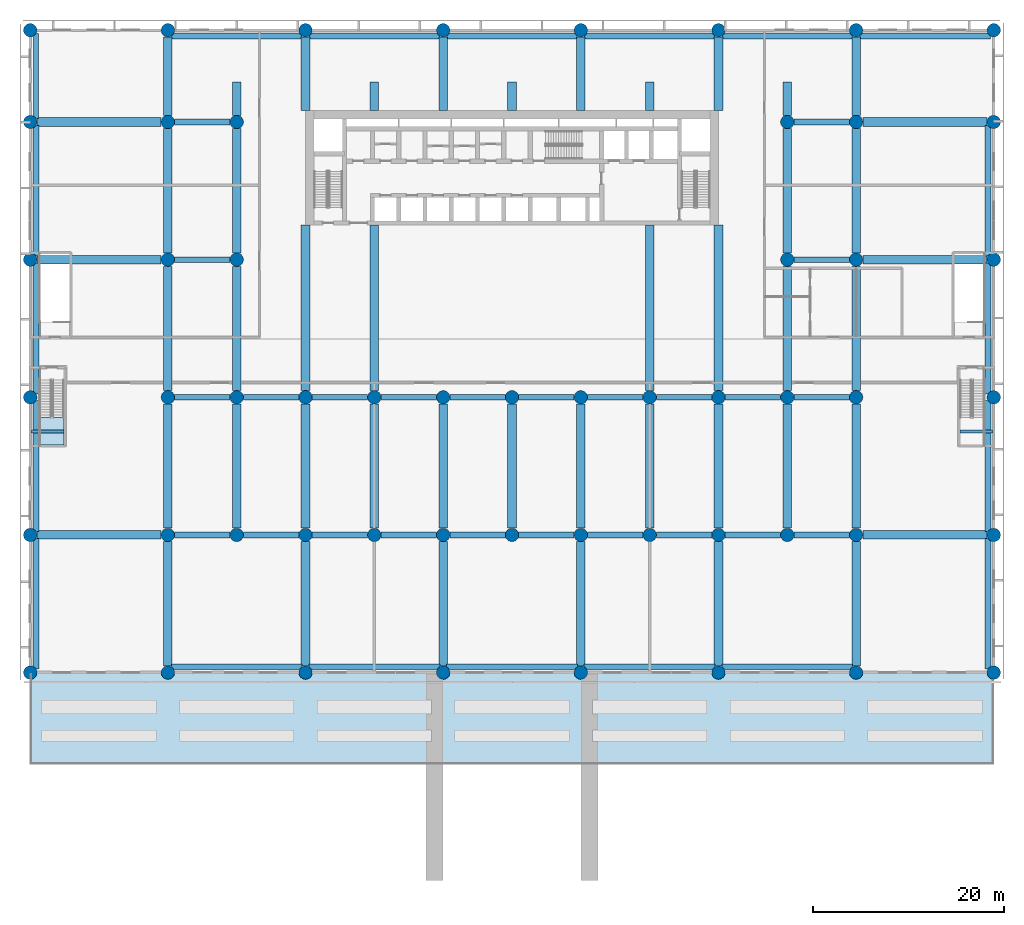
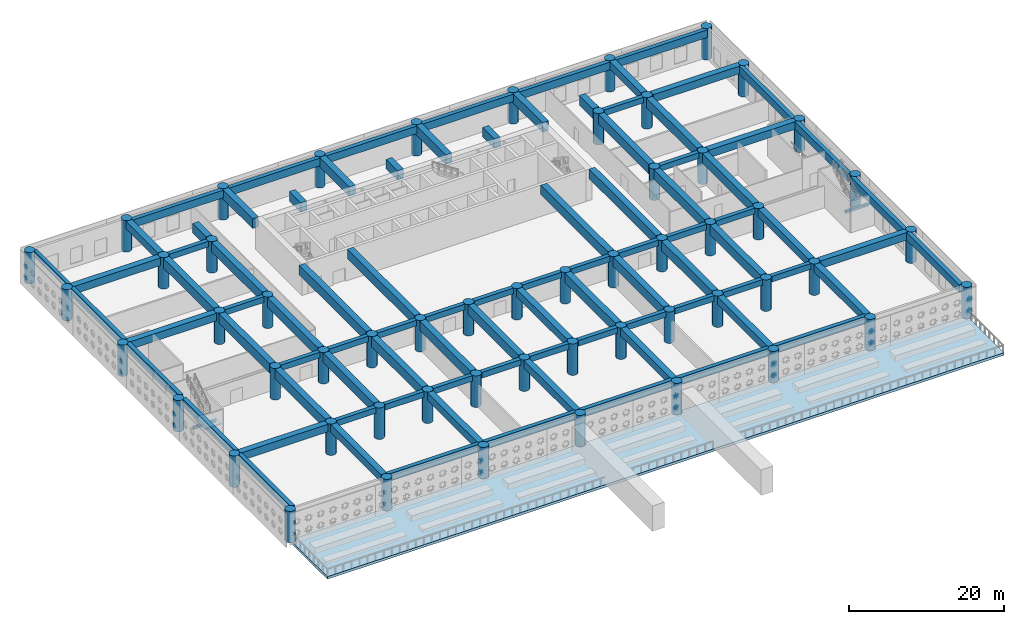
# One storey, part 1 of 24: 92 beams, 54 columns, 2 slabs, 1 element without a shape of its own.
"""IFC4 building model written with IfcOpenShell, lengths in metres."""

from ifc_helpers import new_model, si_unit, direction, frame, origin, origin_2d, place, context, subcontext, project, spatial, polyline, rectangle, circle, outline, extrude, source, transform, mapped, material, layer, layer_set, material_profile, profile_set, type_object, element, aggregate, save


model = new_model("IFC4")

# Units and contexts
model_context = context("Model", 3, precision=1e-05, world=origin(), true_north=direction((0.0, 1.0)))
body_context = subcontext(model_context, "Body", "Model", "MODEL_VIEW")
ifc_project = project(units=[si_unit("LENGTHUNIT", "METRE"), si_unit("AREAUNIT", "SQUARE_METRE"), si_unit("VOLUMEUNIT", "CUBIC_METRE"), si_unit("PLANEANGLEUNIT", "RADIAN"), si_unit("MASSUNIT", "GRAM", prefix="KILO")], contexts=[model_context])

# Site, building, storey
site_placement = place(None, origin())
site = spatial("IfcSite", under=ifc_project, at=site_placement, CompositionType="ELEMENT")
building_placement = place(site_placement, origin())
building = spatial("IfcBuilding", under=site, at=building_placement, Name="Saffron Iwan Residences", CompositionType="ELEMENT")
storey_placement = place(building_placement, frame((0.0, 0.0, 21.60009765625)))
storey = spatial("IfcBuildingStorey", under=building, at=storey_placement, Name="L04", CompositionType="ELEMENT", Elevation=21.60009765625)

# Columns
ifc_material_1 = material(Name="Concrete C50/60", Category="concrete")
ifc_material_profile_1 = material_profile(ifc_material_1, circle(Radius=0.699951171875, at=origin_2d()), Name="RC D1400")
ifc_profile_set_1 = profile_set([ifc_material_profile_1], Name="Concrete C50/60")
column_type = type_object("IfcColumnType", Name="COL RC D1400 C50/60 4950 HIGH", PredefinedType="COLUMN", material=ifc_profile_set_1)
shared_shape_1 = source(origin(), body_context, "Body", "SweptSolid", [
    extrude(circle(Radius=0.699951171875, at=origin_2d()), origin(), (0.0, 0.0, 1.0), 4.949951171875),
])
for number, where, z_axis, x_axis, name in (
    (1, (0.0, 19.199951171875, 0.0), (0.0, 0.0, 1.0), (1.0, 0.0, 0.0), "Column C017"),
    (2, (14.39990234375, 19.199951171875, 0.0), (0.0, 0.0, 1.0), (1.0, 0.0, 0.0), "Column C018"),
    (3, (28.800048828125, 19.199951171875, 0.0), (0.0, 0.0, 1.0), (1.0, 0.0, 0.0), "Column C019"),
    (4, (43.199951171875, 19.199951171875, 0.0), (0.0, 0.0, 1.0), (1.0, 0.0, 0.0), "Column C020"),
    (5, (57.60009765625, 19.199951171875, 0.0), (0.0, 0.0, 1.0), (1.0, 0.0, 0.0), "Column C021"),
    (6, (72.0, 19.199951171875, 0.0), (0.0, 0.0, 1.0), (1.0, 0.0, 0.0), "Column C022"),
    (7, (86.39990234375, 19.199951171875, 0.0), (0.0, 0.0, 1.0), (1.0, 0.0, 0.0), "Column C023"),
    (8, (100.800048828125, 19.199951171875, 0.0), (0.0, 0.0, 1.0), (1.0, 0.0, 0.0), "Column C024"),
    (9, (0.0, 33.60009765625, 0.0), (0.0, 0.0, 1.0), (1.0, 0.0, 0.0), "Column C025"),
    (10, (14.39990234375, 33.60009765625, 0.0), (0.0, 0.0, 1.0), (1.0, 0.0, 0.0), "Column C026"),
    (11, (21.60009765625, 33.60009765625, 0.0), (0.0, 0.0, 1.0), (1.0, 0.0, 0.0), "Column C027"),
    (12, (28.800048828125, 33.60009765625, 0.0), (0.0, 0.0, 1.0), (1.0, 0.0, 0.0), "Column C028"),
    (13, (36.0, 33.60009765625, 0.0), (0.0, 0.0, 1.0), (1.0, 0.0, 0.0), "Column C029"),
    (14, (43.199951171875, 33.60009765625, 0.0), (0.0, 0.0, 1.0), (1.0, 0.0, 0.0), "Column C030"),
    (15, (50.39990234375, 33.60009765625, 0.0), (0.0, 0.0, 1.0), (1.0, 0.0, 0.0), "Column C031"),
    (16, (57.60009765625, 33.60009765625, 0.0), (0.0, 0.0, 1.0), (1.0, 0.0, 0.0), "Column C032"),
    (17, (64.800048828125, 33.60009765625, 0.0), (0.0, 0.0, 1.0), (1.0, 0.0, 0.0), "Column C033"),
    (18, (72.0, 33.60009765625, 0.0), (0.0, 0.0, 1.0), (1.0, 0.0, 0.0), "Column C034"),
    (19, (79.199951171875, 33.60009765625, 0.0), (0.0, 0.0, 1.0), (1.0, 0.0, 0.0), "Column C035"),
    (20, (86.39990234375, 33.60009765625, 0.0), (0.0, 0.0, 1.0), (1.0, 0.0, 0.0), "Column C036"),
    (21, (100.800048828125, 33.60009765625, 0.0), (0.0, 0.0, 1.0), (1.0, 0.0, 0.0), "Column C037"),
    (22, (0.0, 48.0, 0.0), (0.0, 0.0, 1.0), (1.0, 0.0, 0.0), "Column C059"),
    (23, (14.39990234375, 48.0, 0.0), (0.0, 0.0, 1.0), (1.0, 0.0, 0.0), "Column C060"),
    (24, (21.60009765625, 48.0, 0.0), (0.0, 0.0, 1.0), (1.0, 0.0, 0.0), "Column C063"),
    (25, (28.800048828125, 48.0, 0.0), (0.0, 0.0, 1.0), (1.0, 0.0, 0.0), "Column C064"),
    (26, (36.0, 48.0, 0.0), (0.0, 0.0, 1.0), (1.0, 0.0, 0.0), "Column C065"),
    (27, (43.199951171875, 48.0, 0.0), (0.0, 0.0, 1.0), (1.0, 0.0, 0.0), "Column C066"),
    (28, (50.39990234375, 48.0, 0.0), (0.0, 0.0, 1.0), (1.0, 0.0, 0.0), "Column C067"),
    (29, (57.60009765625, 48.0, 0.0), (0.0, 0.0, 1.0), (1.0, 0.0, 0.0), "Column C068"),
    (30, (64.800048828125, 48.0, 0.0), (0.0, 0.0, 1.0), (1.0, 0.0, 0.0), "Column C069"),
    (31, (72.0, 48.0, 0.0), (0.0, 0.0, 1.0), (1.0, 0.0, 0.0), "Column C071"),
    (32, (79.199951171875, 48.0, 0.0), (0.0, 0.0, 1.0), (1.0, 0.0, 0.0), "Column C072"),
    (33, (86.39990234375, 48.0, 0.0), (0.0, 0.0, 1.0), (1.0, 0.0, 0.0), "Column C075"),
    (34, (100.800048828125, 48.0, 0.0), (0.0, 0.0, 1.0), (1.0, 0.0, 0.0), "Column C076"),
    (35, (0.0, 62.39990234375, 0.0), (0.0, 0.0, 1.0), (1.0, 0.0, 0.0), "Column C087"),
    (36, (14.39990234375, 62.39990234375, 0.0), (0.0, 0.0, 1.0), (1.0, 0.0, 0.0), "Column C088"),
    (37, (21.60009765625, 62.39990234375, 0.0), (0.0, 0.0, 1.0), (1.0, 0.0, 0.0), "Column C091"),
    (38, (79.199951171875, 62.39990234375, 0.0), (0.0, 0.0, 1.0), (1.0, 0.0, 0.0), "Column C092"),
    (39, (86.39990234375, 62.39990234375, 0.0), (0.0, 0.0, 1.0), (1.0, 0.0, 0.0), "Column C095"),
    (40, (100.800048828125, 62.39990234375, 0.0), (0.0, 0.0, 1.0), (1.0, 0.0, 0.0), "Column C096"),
    (41, (0.0, 76.800048828125, 0.0), (0.0, 0.0, 1.0), (1.0, 0.0, 0.0), "Column C103"),
    (42, (14.39990234375, 76.800048828125, 0.0), (0.0, 0.0, 1.0), (1.0, 0.0, 0.0), "Column C104"),
    (43, (21.60009765625, 76.800048828125, 0.0), (0.0, 0.0, 1.0), (1.0, 0.0, 0.0), "Column C107"),
    (44, (79.199951171875, 76.800048828125, 0.0), (0.0, 0.0, 1.0), (1.0, 0.0, 0.0), "Column C108"),
    (45, (86.39990234375, 76.800048828125, 0.0), (0.0, 0.0, 1.0), (1.0, 0.0, 0.0), "Column C111"),
    (46, (100.800048828125, 76.800048828125, 0.0), (0.0, 0.0, 1.0), (1.0, 0.0, 0.0), "Column C112"),
    (47, (0.0, 86.39990234375, 0.0), (0.0, 0.0, 1.0), (1.0, 0.0, 0.0), "Column C124"),
    (48, (14.39990234375, 86.39990234375, 0.0), (0.0, 0.0, 1.0), (1.0, 0.0, 0.0), "Column C125"),
    (49, (28.800048828125, 86.39990234375, 0.0), (0.0, 0.0, 1.0), (1.0, 0.0, 0.0), "Column C126"),
    (50, (43.199951171875, 86.39990234375, 0.0), (0.0, 0.0, 1.0), (1.0, 0.0, 0.0), "Column C127"),
    (51, (57.60009765625, 86.39990234375, 0.0), (0.0, 0.0, 1.0), (1.0, 0.0, 0.0), "Column C128"),
    (52, (72.0, 86.39990234375, 0.0), (0.0, 0.0, 1.0), (1.0, 0.0, 0.0), "Column C129"),
    (53, (86.39990234375, 86.39990234375, 0.0), (0.0, 0.0, 1.0), (1.0, 0.0, 0.0), "Column C130"),
    (54, (100.800048828125, 86.39990234375, 0.0), (0.0, 0.0, 1.0), (1.0, 0.0, 0.0), "Column C131"),
):
    element("IfcColumn", number, at=place(storey_placement, frame(where, z_axis=z_axis, x_axis=x_axis)), inside=storey, type_object=column_type, Name=name, PredefinedType="COLUMN", context=body_context, shape_type="MappedRepresentation", body=[
        mapped(shared_shape_1, transform((0.0, 0.0, 0.0))),
    ])

# Beams
ifc_material_2 = material(Name="Concrete C60/75", Category="concrete")
ifc_material_profile_2 = material_profile(ifc_material_2, rectangle(XDim=0.89990234375, YDim=1.5, at=origin_2d()), Name="RC 900x1500")
ifc_profile_set_2 = profile_set([ifc_material_profile_2], Name="Concrete C60/75")
beam_type_1 = type_object("IfcBeamType", Name="TRANSFER GIRDER RC 900x1500 C60/75 TOP 4950", PredefinedType="BEAM", material=ifc_profile_set_2)
shared_shape_2 = source(origin(), body_context, "Body", "SweptSolid", [
    extrude(rectangle(XDim=0.89990234375, YDim=1.5, at=origin_2d()), origin(), (0.0, 0.0, 1.0), 13.0),
])
for number, where, z_axis, x_axis, name in (
    (55, (14.39990234375, 34.300048828125, 4.199951171875), (0.0, 1.0, 0.0), (-1.0, 0.0, 0.0), "Transfer girder"),
    (56, (14.39990234375, 48.699951171875, 4.199951171875), (0.0, 1.0, 0.0), (-1.0, 0.0, 0.0), "Transfer girder"),
    (57, (14.39990234375, 63.10009765625, 4.199951171875), (0.0, 1.0, 0.0), (-1.0, 0.0, 0.0), "Transfer girder"),
    (58, (21.60009765625, 34.300048828125, 4.199951171875), (0.0, 1.0, 0.0), (-1.0, 0.0, 0.0), "Transfer girder"),
    (59, (21.60009765625, 48.699951171875, 4.199951171875), (0.0, 1.0, 0.0), (-1.0, 0.0, 0.0), "Transfer girder"),
    (60, (21.60009765625, 63.10009765625, 4.199951171875), (0.0, 1.0, 0.0), (-1.0, 0.0, 0.0), "Transfer girder"),
    (61, (28.800048828125, 34.300048828125, 4.199951171875), (0.0, 1.0, 0.0), (-1.0, 0.0, 0.0), "Transfer girder"),
    (62, (36.0, 34.300048828125, 4.199951171875), (0.0, 1.0, 0.0), (-1.0, 0.0, 0.0), "Transfer girder"),
    (63, (43.199951171875, 34.300048828125, 4.199951171875), (0.0, 1.0, 0.0), (-1.0, 0.0, 0.0), "Transfer girder"),
    (64, (57.60009765625, 34.300048828125, 4.199951171875), (0.0, 1.0, 0.0), (-1.0, 0.0, 0.0), "Transfer girder"),
    (65, (64.800048828125, 34.300048828125, 4.199951171875), (0.0, 1.0, 0.0), (-1.0, 0.0, 0.0), "Transfer girder"),
    (66, (72.0, 34.300048828125, 4.199951171875), (0.0, 1.0, 0.0), (-1.0, 0.0, 0.0), "Transfer girder"),
    (67, (79.199951171875, 34.300048828125, 4.199951171875), (0.0, 1.0, 0.0), (-1.0, 0.0, 0.0), "Transfer girder"),
    (68, (79.199951171875, 48.699951171875, 4.199951171875), (0.0, 1.0, 0.0), (-1.0, 0.0, 0.0), "Transfer girder"),
    (69, (79.199951171875, 63.10009765625, 4.199951171875), (0.0, 1.0, 0.0), (-1.0, 0.0, 0.0), "Transfer girder"),
    (70, (86.39990234375, 48.699951171875, 4.199951171875), (0.0, 1.0, 0.0), (-1.0, 0.0, 0.0), "Transfer girder"),
    (71, (86.39990234375, 63.10009765625, 4.199951171875), (0.0, 1.0, 0.0), (-1.0, 0.0, 0.0), "Transfer girder"),
):
    element("IfcBeam", number, at=place(storey_placement, frame(where, z_axis=z_axis, x_axis=x_axis)), inside=storey, type_object=beam_type_1, Name=name, PredefinedType="BEAM", context=body_context, shape_type="MappedRepresentation", body=[
        mapped(shared_shape_2, transform((0.0, 0.0, 0.0))),
    ])
shared_shape_3 = source(origin(), body_context, "Body", "SweptSolid", [
    extrude(rectangle(XDim=0.89990234375, YDim=1.5, at=origin_2d()), origin(), (0.0, 0.0, 1.0), 3.5),
])
for number, where, z_axis, x_axis, name in (
    (72, (21.60009765625, 77.5, 4.199951171875), (0.0, 1.0, 0.0), (-1.0, 0.0, 0.0), "Transfer girder"),
    (73, (79.199951171875, 77.5, 4.199951171875), (0.0, 1.0, 0.0), (-1.0, 0.0, 0.0), "Transfer girder"),
):
    element("IfcBeam", number, at=place(storey_placement, frame(where, z_axis=z_axis, x_axis=x_axis)), inside=storey, type_object=beam_type_1, Name=name, PredefinedType="BEAM", context=body_context, shape_type="MappedRepresentation", body=[
        mapped(shared_shape_3, transform((0.0, 0.0, 0.0))),
    ])
shared_shape_4 = source(origin(), body_context, "Body", "SweptSolid", [
    extrude(rectangle(XDim=0.89990234375, YDim=1.5, at=origin_2d()), origin(), (0.0, 0.0, 1.0), 17.300048828125),
])
for number, where, z_axis, x_axis, name in (
    (74, (28.800048828125, 48.699951171875, 4.199951171875), (0.0, 1.0, 0.0), (-1.0, 0.0, 0.0), "Transfer girder"),
    (75, (36.0, 48.699951171875, 4.199951171875), (0.0, 1.0, 0.0), (-1.0, 0.0, 0.0), "Transfer girder"),
    (76, (64.800048828125, 48.699951171875, 4.199951171875), (0.0, 1.0, 0.0), (-1.0, 0.0, 0.0), "Transfer girder"),
    (77, (72.0, 48.699951171875, 4.199951171875), (0.0, 1.0, 0.0), (-1.0, 0.0, 0.0), "Transfer girder"),
):
    element("IfcBeam", number, at=place(storey_placement, frame(where, z_axis=z_axis, x_axis=x_axis)), inside=storey, type_object=beam_type_1, Name=name, PredefinedType="BEAM", context=body_context, shape_type="MappedRepresentation", body=[
        mapped(shared_shape_4, transform((0.0, 0.0, 0.0))),
    ])
shared_shape_5 = source(origin(), body_context, "Body", "SweptSolid", [
    extrude(rectangle(XDim=0.89990234375, YDim=1.5, at=origin_2d()), origin(), (0.0, 0.0, 1.0), 7.699951171875),
])
for number, where, z_axis, x_axis, name in (
    (78, (28.800048828125, 78.0, 4.199951171875), (0.0, 1.0, 0.0), (-1.0, 0.0, 0.0), "Transfer girder"),
    (79, (43.199951171875, 78.0, 4.199951171875), (0.0, 1.0, 0.0), (-1.0, 0.0, 0.0), "Transfer girder"),
    (80, (57.60009765625, 78.0, 4.199951171875), (0.0, 1.0, 0.0), (-1.0, 0.0, 0.0), "Transfer girder"),
    (81, (72.0, 78.0, 4.199951171875), (0.0, 1.0, 0.0), (-1.0, 0.0, 0.0), "Transfer girder"),
):
    element("IfcBeam", number, at=place(storey_placement, frame(where, z_axis=z_axis, x_axis=x_axis)), inside=storey, type_object=beam_type_1, Name=name, PredefinedType="BEAM", context=body_context, shape_type="MappedRepresentation", body=[
        mapped(shared_shape_5, transform((0.0, 0.0, 0.0))),
    ])
shared_shape_6 = source(origin(), body_context, "Body", "SweptSolid", [
    extrude(rectangle(XDim=0.89990234375, YDim=1.5, at=origin_2d()), origin(), (0.0, 0.0, 1.0), 3.0),
])
for number, where, z_axis, x_axis, name in (
    (82, (36.0, 78.0, 4.199951171875), (0.0, 1.0, 0.0), (-1.0, 0.0, 0.0), "Transfer girder"),
    (83, (50.39990234375, 78.0, 4.199951171875), (0.0, 1.0, 0.0), (-1.0, 0.0, 0.0), "Transfer girder"),
    (84, (64.800048828125, 78.0, 4.199951171875), (0.0, 1.0, 0.0), (-1.0, 0.0, 0.0), "Transfer girder"),
):
    element("IfcBeam", number, at=place(storey_placement, frame(where, z_axis=z_axis, x_axis=x_axis)), inside=storey, type_object=beam_type_1, Name=name, PredefinedType="BEAM", context=body_context, shape_type="MappedRepresentation", body=[
        mapped(shared_shape_6, transform((0.0, 0.0, 0.0))),
    ])
ifc_material_profile_3 = material_profile(ifc_material_1, rectangle(XDim=0.5, YDim=0.89990234375, at=origin_2d()), Name="RC 500x900")
ifc_profile_set_3 = profile_set([ifc_material_profile_3], Name="Concrete C50/60")
beam_type_2 = type_object("IfcBeamType", Name="SPANDREL BEAM RC 500x900 C50/60 TOP 4950", PredefinedType="SPANDREL", material=ifc_profile_set_3)
shared_shape_7 = source(origin(), body_context, "Body", "SweptSolid", [
    extrude(rectangle(XDim=0.5, YDim=0.89990234375, at=origin_2d()), origin(), (0.0, 0.0, 1.0), 8.889404296875),
])
beam_placement = place(storey_placement, frame((0.60009765625, 77.1552734375, 4.5), z_axis=(0.0, 1.0, 0.0), x_axis=(-1.0, 0.0, 0.0)))
element("IfcBeam", 85, at=beam_placement, inside=storey, type_object=beam_type_2, Name="Spandrel beam", PredefinedType="SPANDREL", context=body_context, shape_type="MappedRepresentation", body=[
    mapped(shared_shape_7, transform((0.0, 0.0, 0.0))),
])
ifc_material_profile_4 = material_profile(ifc_material_1, rectangle(XDim=0.60009765625, YDim=1.199951171875, at=origin_2d()), Name="RC 600x1200")
ifc_profile_set_4 = profile_set([ifc_material_profile_4], Name="Concrete C50/60")
beam_type_3 = type_object("IfcBeamType", Name="LINTEL BEAM RC 600x1200 C50/60 TOP 4950", PredefinedType="LINTEL", material=ifc_profile_set_4)
shared_shape_8 = source(origin(), body_context, "Body", "SweptSolid", [
    extrude(rectangle(XDim=0.60009765625, YDim=1.199951171875, at=origin_2d()), origin(), (0.0, 0.0, 1.0), 13.689208984375),
])
for number, where, z_axis, x_axis, name in (
    (86, (28.444580078125, 19.800048828125, 4.349853515625), (-1.0, 0.0, 0.0), (0.0, -1.0, 0.0), "Lintel beam over the iwan"),
    (87, (57.24462890625, 19.800048828125, 4.349853515625), (-1.0, 0.0, 0.0), (0.0, -1.0, 0.0), "Lintel beam over the iwan"),
    (88, (0.60009765625, 19.555419921875, 4.349853515625), (0.0, 1.0, 0.0), (-1.0, 0.0, 0.0), "Lintel beam over the iwan"),
    (89, (100.199951171875, 33.24462890625, 4.349853515625), (0.0, -1.0, 0.0), (1.0, 0.0, 0.0), "Lintel beam over the iwan"),
    (90, (0.60009765625, 62.75537109375, 4.349853515625), (0.0, 1.0, 0.0), (-1.0, 0.0, 0.0), "Lintel beam over the iwan"),
    (91, (100.199951171875, 76.444580078125, 4.349853515625), (0.0, -1.0, 0.0), (1.0, 0.0, 0.0), "Lintel beam over the iwan"),
    (92, (14.75537109375, 85.800048828125, 4.349853515625), (1.0, 0.0, 0.0), (0.0, 1.0, 0.0), "Lintel beam over the iwan"),
    (93, (43.555419921875, 85.800048828125, 4.349853515625), (1.0, 0.0, 0.0), (0.0, 1.0, 0.0), "Lintel beam over the iwan"),
    (94, (86.75537109375, 85.800048828125, 4.349853515625), (1.0, 0.0, 0.0), (0.0, 1.0, 0.0), "Lintel beam over the iwan"),
):
    element("IfcBeam", number, at=place(storey_placement, frame(where, z_axis=z_axis, x_axis=x_axis)), inside=storey, type_object=beam_type_3, Name=name, PredefinedType="LINTEL", context=body_context, shape_type="MappedRepresentation", body=[
        mapped(shared_shape_8, transform((0.0, 0.0, 0.0))),
    ])
shared_shape_9 = source(origin(), body_context, "Body", "SweptSolid", [
    extrude(rectangle(XDim=0.60009765625, YDim=1.199951171875, at=origin_2d()), origin(), (0.0, 0.0, 1.0), 13.689453125),
])
for number, where, z_axis, x_axis, name in (
    (95, (42.8447265625, 19.800048828125, 4.349853515625), (-1.0, 0.0, 0.0), (0.0, -1.0, 0.0), "Lintel beam over the iwan"),
    (96, (71.644775390625, 19.800048828125, 4.349853515625), (-1.0, 0.0, 0.0), (0.0, -1.0, 0.0), "Lintel beam over the iwan"),
    (97, (86.044677734375, 19.800048828125, 4.349853515625), (-1.0, 0.0, 0.0), (0.0, -1.0, 0.0), "Lintel beam over the iwan"),
    (98, (0.60009765625, 33.955322265625, 4.349853515625), (0.0, 1.0, 0.0), (-1.0, 0.0, 0.0), "Lintel beam over the iwan"),
    (99, (100.199951171875, 47.644775390625, 4.349853515625), (0.0, -1.0, 0.0), (1.0, 0.0, 0.0), "Lintel beam over the iwan"),
    (100, (0.60009765625, 48.355224609375, 4.349853515625), (0.0, 1.0, 0.0), (-1.0, 0.0, 0.0), "Lintel beam over the iwan"),
    (101, (100.199951171875, 62.044677734375, 4.349853515625), (0.0, -1.0, 0.0), (1.0, 0.0, 0.0), "Lintel beam over the iwan"),
    (102, (29.1552734375, 85.800048828125, 4.349853515625), (1.0, 0.0, 0.0), (0.0, 1.0, 0.0), "Lintel beam over the iwan"),
    (103, (57.955322265625, 85.800048828125, 4.349853515625), (1.0, 0.0, 0.0), (0.0, 1.0, 0.0), "Lintel beam over the iwan"),
    (104, (72.355224609375, 85.800048828125, 4.349853515625), (1.0, 0.0, 0.0), (0.0, 1.0, 0.0), "Lintel beam over the iwan"),
):
    element("IfcBeam", number, at=place(storey_placement, frame(where, z_axis=z_axis, x_axis=x_axis)), inside=storey, type_object=beam_type_3, Name=name, PredefinedType="LINTEL", context=body_context, shape_type="MappedRepresentation", body=[
        mapped(shared_shape_9, transform((0.0, 0.0, 0.0))),
    ])
ifc_material_profile_5 = material_profile(ifc_material_1, rectangle(XDim=0.89990234375, YDim=1.199951171875, at=origin_2d()), Name="RC 900x1200")
ifc_profile_set_5 = profile_set([ifc_material_profile_5], Name="Concrete C50/60")
beam_type_4 = type_object("IfcBeamType", Name="BEAM RC 900x1200 C50/60 TOP 4950", PredefinedType="BEAM", material=ifc_profile_set_5)
shared_shape_10 = source(origin(), body_context, "Body", "SweptSolid", [
    extrude(rectangle(XDim=0.89990234375, YDim=1.199951171875, at=origin_2d()), origin(), (0.0, 0.0, 1.0), 13.0),
])
for number, where, z_axis, x_axis, name in (
    (105, (14.39990234375, 19.89990234375, 4.349853515625), (0.0, 1.0, 0.0), (-1.0, 0.0, 0.0), "Floor beam"),
    (106, (28.800048828125, 19.89990234375, 4.349853515625), (0.0, 1.0, 0.0), (-1.0, 0.0, 0.0), "Floor beam"),
    (107, (43.199951171875, 19.89990234375, 4.349853515625), (0.0, 1.0, 0.0), (-1.0, 0.0, 0.0), "Floor beam"),
    (108, (57.60009765625, 19.89990234375, 4.349853515625), (0.0, 1.0, 0.0), (-1.0, 0.0, 0.0), "Floor beam"),
    (109, (72.0, 19.89990234375, 4.349853515625), (0.0, 1.0, 0.0), (-1.0, 0.0, 0.0), "Floor beam"),
    (110, (86.39990234375, 19.89990234375, 4.349853515625), (0.0, 1.0, 0.0), (-1.0, 0.0, 0.0), "Floor beam"),
    (111, (0.699951171875, 33.60009765625, 4.349853515625), (1.0, 0.0, 0.0), (0.0, 1.0, 0.0), "Floor beam"),
    (112, (87.10009765625, 33.60009765625, 4.349853515625), (1.0, 0.0, 0.0), (0.0, 1.0, 0.0), "Floor beam"),
    (113, (50.39990234375, 34.300048828125, 4.349853515625), (0.0, 1.0, 0.0), (-1.0, 0.0, 0.0), "Floor beam"),
    (114, (86.39990234375, 34.300048828125, 4.349853515625), (0.0, 1.0, 0.0), (-1.0, 0.0, 0.0), "Floor beam"),
    (115, (0.699951171875, 62.39990234375, 4.349853515625), (1.0, 0.0, 0.0), (0.0, 1.0, 0.0), "Floor beam"),
    (116, (87.10009765625, 62.39990234375, 4.349853515625), (1.0, 0.0, 0.0), (0.0, 1.0, 0.0), "Floor beam"),
    (117, (0.699951171875, 76.800048828125, 4.349853515625), (1.0, 0.0, 0.0), (0.0, 1.0, 0.0), "Floor beam"),
    (118, (87.10009765625, 76.800048828125, 4.349853515625), (1.0, 0.0, 0.0), (0.0, 1.0, 0.0), "Floor beam"),
):
    element("IfcBeam", number, at=place(storey_placement, frame(where, z_axis=z_axis, x_axis=x_axis)), inside=storey, type_object=beam_type_4, Name=name, PredefinedType="BEAM", context=body_context, shape_type="MappedRepresentation", body=[
        mapped(shared_shape_10, transform((0.0, 0.0, 0.0))),
    ])
ifc_material_profile_6 = material_profile(ifc_material_1, rectangle(XDim=0.60009765625, YDim=0.89990234375, at=origin_2d()), Name="RC 600x900")
ifc_profile_set_6 = profile_set([ifc_material_profile_6], Name="Concrete C50/60")
beam_type_5 = type_object("IfcBeamType", Name="BEAM RC 600x900 C50/60 TOP 4950", PredefinedType="BEAM", material=ifc_profile_set_6)
shared_shape_11 = source(origin(), body_context, "Body", "SweptSolid", [
    extrude(rectangle(XDim=0.60009765625, YDim=0.89990234375, at=origin_2d()), origin(), (0.0, 0.0, 1.0), 5.7998046875),
])
for number, where, z_axis, x_axis, name in (
    (119, (15.10009765625, 33.60009765625, 4.5), (1.0, 0.0, 0.0), (0.0, 1.0, 0.0), "Floor beam"),
    (120, (51.10009765625, 33.60009765625, 4.5), (1.0, 0.0, 0.0), (0.0, 1.0, 0.0), "Floor beam"),
    (121, (15.10009765625, 48.0, 4.5), (1.0, 0.0, 0.0), (0.0, 1.0, 0.0), "Floor beam"),
    (122, (51.10009765625, 48.0, 4.5), (1.0, 0.0, 0.0), (0.0, 1.0, 0.0), "Floor beam"),
    (123, (15.10009765625, 62.39990234375, 4.5), (1.0, 0.0, 0.0), (0.0, 1.0, 0.0), "Floor beam"),
    (124, (15.10009765625, 76.800048828125, 4.5), (1.0, 0.0, 0.0), (0.0, 1.0, 0.0), "Floor beam"),
):
    element("IfcBeam", number, at=place(storey_placement, frame(where, z_axis=z_axis, x_axis=x_axis)), inside=storey, type_object=beam_type_5, Name=name, PredefinedType="BEAM", context=body_context, shape_type="MappedRepresentation", body=[
        mapped(shared_shape_11, transform((0.0, 0.0, 0.0))),
    ])
shared_shape_12 = source(origin(), body_context, "Body", "SweptSolid", [
    extrude(rectangle(XDim=0.60009765625, YDim=0.89990234375, at=origin_2d()), origin(), (0.0, 0.0, 1.0), 5.800048828125),
])
for number, where, z_axis, x_axis, name in (
    (125, (22.300048828125, 33.60009765625, 4.5), (1.0, 0.0, 0.0), (0.0, 1.0, 0.0), "Floor beam"),
    (126, (29.5, 33.60009765625, 4.5), (1.0, 0.0, 0.0), (0.0, 1.0, 0.0), "Floor beam"),
    (127, (36.699951171875, 33.60009765625, 4.5), (1.0, 0.0, 0.0), (0.0, 1.0, 0.0), "Floor beam"),
    (128, (43.89990234375, 33.60009765625, 4.5), (1.0, 0.0, 0.0), (0.0, 1.0, 0.0), "Floor beam"),
    (129, (58.300048828125, 33.60009765625, 4.5), (1.0, 0.0, 0.0), (0.0, 1.0, 0.0), "Floor beam"),
    (130, (65.5, 33.60009765625, 4.5), (1.0, 0.0, 0.0), (0.0, 1.0, 0.0), "Floor beam"),
    (131, (72.699951171875, 33.60009765625, 4.5), (1.0, 0.0, 0.0), (0.0, 1.0, 0.0), "Floor beam"),
    (132, (79.89990234375, 33.60009765625, 4.5), (1.0, 0.0, 0.0), (0.0, 1.0, 0.0), "Floor beam"),
    (133, (22.300048828125, 48.0, 4.5), (1.0, 0.0, 0.0), (0.0, 1.0, 0.0), "Floor beam"),
    (134, (29.5, 48.0, 4.5), (1.0, 0.0, 0.0), (0.0, 1.0, 0.0), "Floor beam"),
    (135, (36.699951171875, 48.0, 4.5), (1.0, 0.0, 0.0), (0.0, 1.0, 0.0), "Floor beam"),
    (136, (43.89990234375, 48.0, 4.5), (1.0, 0.0, 0.0), (0.0, 1.0, 0.0), "Floor beam"),
    (137, (58.300048828125, 48.0, 4.5), (1.0, 0.0, 0.0), (0.0, 1.0, 0.0), "Floor beam"),
    (138, (65.5, 48.0, 4.5), (1.0, 0.0, 0.0), (0.0, 1.0, 0.0), "Floor beam"),
    (139, (72.699951171875, 48.0, 4.5), (1.0, 0.0, 0.0), (0.0, 1.0, 0.0), "Floor beam"),
    (140, (79.89990234375, 48.0, 4.5), (1.0, 0.0, 0.0), (0.0, 1.0, 0.0), "Floor beam"),
    (141, (79.89990234375, 62.39990234375, 4.5), (1.0, 0.0, 0.0), (0.0, 1.0, 0.0), "Floor beam"),
    (142, (79.89990234375, 76.800048828125, 4.5), (1.0, 0.0, 0.0), (0.0, 1.0, 0.0), "Floor beam"),
):
    element("IfcBeam", number, at=place(storey_placement, frame(where, z_axis=z_axis, x_axis=x_axis)), inside=storey, type_object=beam_type_5, Name=name, PredefinedType="BEAM", context=body_context, shape_type="MappedRepresentation", body=[
        mapped(shared_shape_12, transform((0.0, 0.0, 0.0))),
    ])
shared_shape_13 = source(origin(), body_context, "Body", "SweptSolid", [
    extrude(rectangle(XDim=0.89990234375, YDim=1.199951171875, at=origin_2d()), origin(), (0.0, 0.0, 1.0), 8.199951171875),
])
for number, where, z_axis, x_axis, name in (
    (143, (14.39990234375, 77.5, 4.349853515625), (0.0, 1.0, 0.0), (-1.0, 0.0, 0.0), "Floor beam"),
    (144, (86.39990234375, 77.5, 4.349853515625), (0.0, 1.0, 0.0), (-1.0, 0.0, 0.0), "Floor beam"),
):
    element("IfcBeam", number, at=place(storey_placement, frame(where, z_axis=z_axis, x_axis=x_axis)), inside=storey, type_object=beam_type_4, Name=name, PredefinedType="BEAM", context=body_context, shape_type="MappedRepresentation", body=[
        mapped(shared_shape_13, transform((0.0, 0.0, 0.0))),
    ])
ifc_material_3 = material(Name="Concrete C40/50", Category="concrete")
ifc_material_profile_7 = material_profile(ifc_material_3, rectangle(XDim=0.300048828125, YDim=0.39990234375, at=origin_2d()), Name="Landing beam RC 300x400 C40/50")
ifc_profile_set_7 = profile_set([ifc_material_profile_7], Name="Concrete C40/50")
beam_type_6 = type_object("IfcBeamType", Name="Landing beam RC 300x400 C40/50", PredefinedType="BEAM", material=ifc_profile_set_7)
shared_shape_14 = source(origin(), body_context, "Body", "SweptSolid", [
    extrude(rectangle(XDim=0.300048828125, YDim=0.39990234375, at=origin_2d()), origin(), (0.0, 0.0, 1.0), 3.449951171875),
])
for number, where, z_axis, x_axis, name in (
    (145, (0.10009765625, 44.43994140625, 2.2998046875), (1.0, 0.0, 0.0), (0.0, 1.0, 0.0), "PS1 landing beam"),
    (146, (97.25, 44.43994140625, 2.2998046875), (1.0, 0.0, 0.0), (0.0, 1.0, 0.0), "PS2 landing beam"),
):
    element("IfcBeam", number, at=place(storey_placement, frame(where, z_axis=z_axis, x_axis=x_axis)), inside=storey, type_object=beam_type_6, Name=name, PredefinedType="BEAM", context=body_context, shape_type="MappedRepresentation", body=[
        mapped(shared_shape_14, transform((0.0, 0.0, 0.0))),
    ])

# Slab
ifc_layer_1 = layer(ifc_material_3, 0.39990234375)
ifc_layer_set_1 = layer_set([ifc_layer_1], Name="Concrete C40/50")
slab_type_1 = type_object("IfcSlabType", Name="PT TERRACE PLATE 400 C40/50", PredefinedType="FLOOR", material=ifc_layer_set_1)
slab_1_placement = place(storey_placement, frame((0.0, 0.0, -0.400146484375)))
element("IfcSlab", 147, at=slab_1_placement, inside=storey, type_object=slab_type_1, Name="Terrace slab L04", PredefinedType="FLOOR", context=body_context, shape_type="SweptSolid", body=[
    extrude(outline(polyline([(0.0, 19.199951171875), (100.800048828125, 19.199951171875), (100.800048828125, 9.60009765625), (0.0, 9.60009765625), (0.0, 19.199951171875)])), origin(), (0.0, 0.0, 1.0), 0.400146484375),
])

# Stair, slab
stair_type = type_object("IfcStairType", Name="Podium stair, reinforced concrete", PredefinedType="HALF_TURN_STAIR", material=ifc_material_3)
stair_placement = place(storey_placement, origin())
stair = element("IfcStair", 148, at=stair_placement, inside=storey, type_object=stair_type, Name="L04 Podium Stair 1", PredefinedType="HALF_TURN_STAIR")
ifc_layer_2 = layer(ifc_material_3, 0.199951171875)
ifc_layer_set_2 = layer_set([ifc_layer_2], Name="Concrete C40/50")
slab_type_2 = type_object("IfcSlabType", Name="Podium stair landing, reinforced concrete", PredefinedType="LANDING", material=ifc_layer_set_2)
slab_2_placement = place(storey_placement, frame((0.0, 0.0, 2.499755859375)))
slab_2 = element("IfcSlab", 149, at=slab_2_placement, type_object=slab_type_2, Name="PS1 landing 1", PredefinedType="LANDING", context=body_context, shape_type="SweptSolid", body=[
    extrude(outline(polyline([(1.0, 45.8798828125), (1.0, 43.0), (3.550048828125, 43.0), (3.550048828125, 45.8798828125), (1.0, 45.8798828125)])), origin(), (0.0, 0.0, 1.0), 0.2001953125),
])
aggregate(stair, [slab_2])

save(model, "model.ifc")
